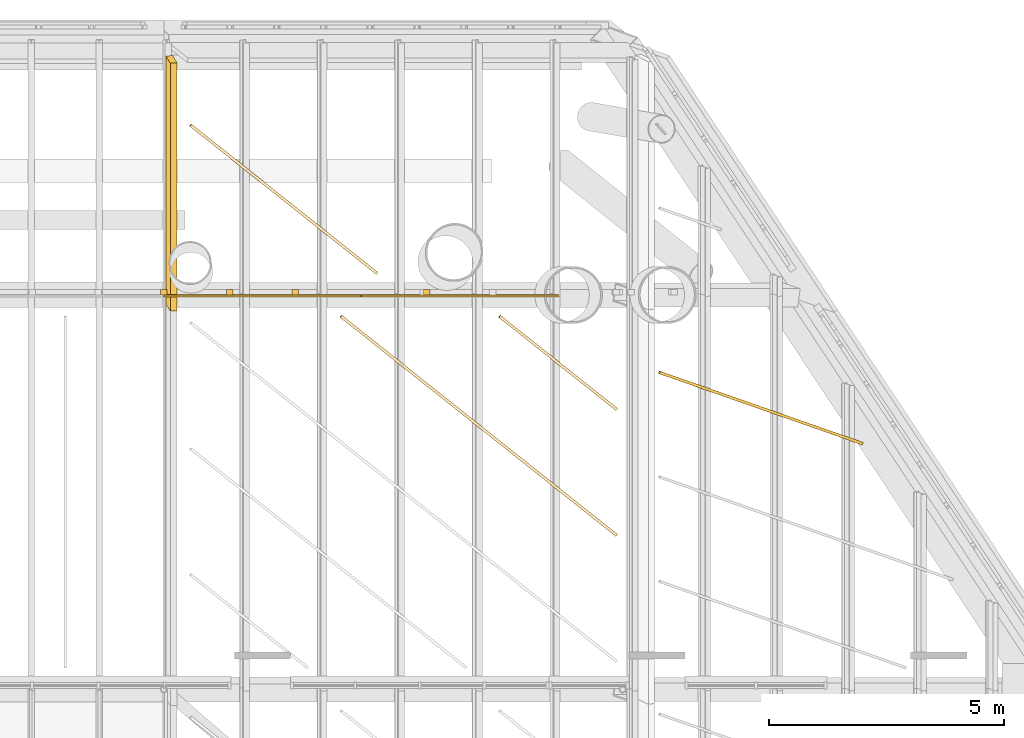
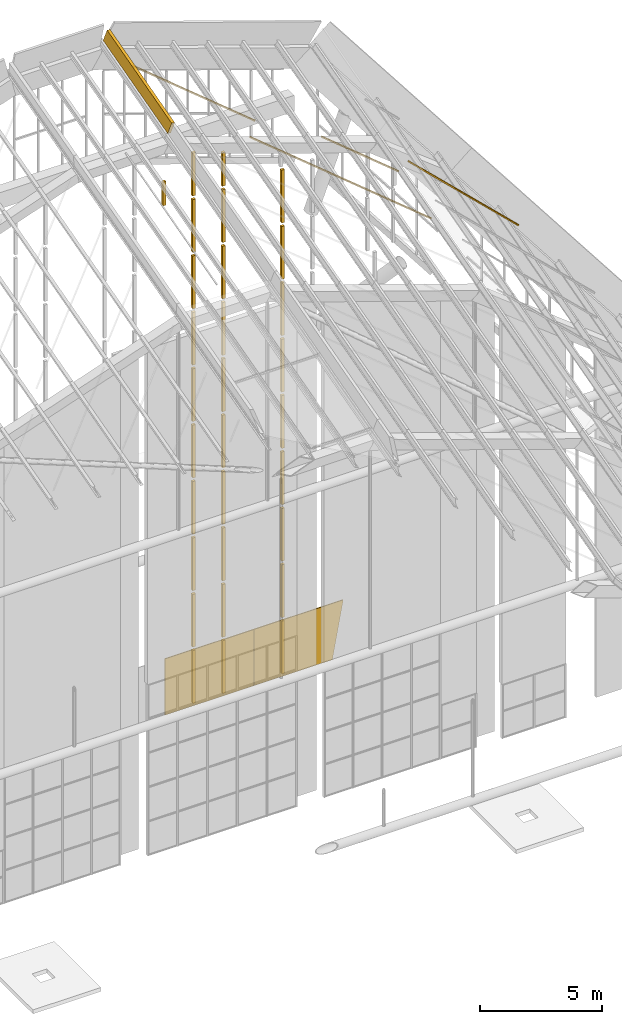
# One storey, part 119 of 126: 37 coverings.
"""IFC4 building model written with IfcOpenShell, lengths in metres."""

from ifc_helpers import new_model, si_unit, direction, frame, origin, origin_2d, place, context, subcontext, project, spatial, polyline, rectangle, outline, extrude, material, layer, layer_set, material_profile, profile_set, type_object, element, save


model = new_model("IFC4")

# Units and contexts
model_context = context("Model", 3, precision=1e-05, world=origin(), true_north=direction((0.0, 1.0)))
body_context = subcontext(model_context, "Body", "Model", "MODEL_VIEW")
ifc_project = project(units=[si_unit("LENGTHUNIT", "METRE"), si_unit("AREAUNIT", "SQUARE_METRE"), si_unit("VOLUMEUNIT", "CUBIC_METRE"), si_unit("PLANEANGLEUNIT", "RADIAN"), si_unit("MASSUNIT", "GRAM", prefix="KILO")], contexts=[model_context])

# Site, building, storey
site_placement = place(None, origin())
site = spatial("IfcSite", under=ifc_project, at=site_placement, CompositionType="ELEMENT")
building_placement = place(site_placement, origin())
building = spatial("IfcBuilding", under=site, at=building_placement, Name="Sava Quay Ferry Terminal", CompositionType="ELEMENT")
storey_placement = place(building_placement, frame((0.0, 0.0, 15.0)))
storey = spatial("IfcBuildingStorey", under=building, at=storey_placement, Name="L03", CompositionType="ELEMENT", Elevation=15.0)

# Coverings
ifc_material_1 = material(Name="Steel S355", Category="steel")
ifc_material_profile_1 = material_profile(ifc_material_1, rectangle(XDim=0.14990234375, YDim=0.60009765625, at=origin_2d()), Name="Cap 150 x 600")
ifc_profile_set_1 = profile_set([ifc_material_profile_1], Name="Steel S355")
covering_type_1 = type_object("IfcCoveringType", Name="Crease capping 150x600", PredefinedType="MOLDING", material=ifc_profile_set_1)
covering_1_placement = place(storey_placement, frame((65.262451171875, 108.93505859375, 29.388671875), z_axis=(0.0, 0.964574190917, 0.263811732523), x_axis=(-0.987174224814, -0.042116656855, 0.153991029213)))
element("IfcCovering", 1, at=covering_1_placement, inside=storey, type_object=covering_type_1, Name="Departure hall crease capping bay 8 crease 3", PredefinedType="MOLDING", context=body_context, shape_type="SweptSolid", body=[
    extrude(rectangle(XDim=0.14990234375, YDim=0.60009765625, at=origin_2d()), origin(), (0.0, 0.0, 1.0), 5.473876953125),
])
ifc_material_2 = material(Name="Laminated glass", Category="glass")
ifc_layer_1 = layer(ifc_material_2, 0.0400390625)
ifc_layer_set_1 = layer_set([ifc_layer_1], Name="Laminated glass")
covering_type_2 = type_object("IfcCoveringType", Name="Prow end glazing 40", PredefinedType="CLADDING", material=ifc_layer_set_1)
covering_2_placement = place(storey_placement, frame((65.10009765625, 109.199951171875, 0.006591796875), z_axis=(0.0, 1.0, 0.0), x_axis=(0.0, 0.0, 1.0)))
element("IfcCovering", 2, at=covering_2_placement, inside=storey, type_object=covering_type_2, Name="Departure hall prow end glazing panel 14", PredefinedType="CLADDING", context=body_context, shape_type="SweptSolid", body=[
    extrude(outline(polyline([(0.0, 0.0), (2.8134765625, 0.0), (2.8134765625, 4.199951171875), (0.0, 4.199951171875), (0.0, 0.0)])), origin(), (0.0, 0.0, -1.0), 0.0400390625),
])
covering_3_placement = place(storey_placement, frame((73.000732421875, 109.199951171875, 0.006591796875), z_axis=(0.0, 1.0, 0.0), x_axis=(-1.0, 0.0, 0.0)))
element("IfcCovering", 3, at=covering_3_placement, inside=storey, type_object=covering_type_2, Name="Departure hall prow end glazing panel 15", PredefinedType="CLADDING", context=body_context, shape_type="SweptSolid", body=[
    extrude(outline(polyline([(0.0, 0.0), (3.70068359375, 0.0), (3.70068359375, 2.8134765625), (-0.499267578125, 2.8134765625), (-0.499267578125, 2.722412109375), (0.0, 0.0)])), origin(), (0.0, 0.0, -1.0), 0.0400390625),
])
ifc_material_3 = material(Name="Steel S355", Category="steel")
ifc_material_profile_2 = material_profile(ifc_material_3, rectangle(XDim=0.139892578125, YDim=0.1201171875, at=origin_2d()), Name="Strip 140 x 120")
ifc_profile_set_2 = profile_set([ifc_material_profile_2], Name="Steel S355")
covering_type_3 = type_object("IfcCoveringType", Name="Prow glazing bar 140 x 120", PredefinedType="CLADDING", material=ifc_profile_set_2)
covering_4_placement = place(storey_placement, frame((65.10009765625, 109.260009765625, 25.4169921875), z_axis=(0.0, 0.0, 1.0), x_axis=(1.0, 0.0, 0.0)))
element("IfcCovering", 4, at=covering_4_placement, inside=storey, type_object=covering_type_3, Name="Prow glazing bar", PredefinedType="CLADDING", context=body_context, shape_type="SweptSolid", body=[
    extrude(rectangle(XDim=0.139892578125, YDim=0.1201171875, at=origin_2d()), origin(), (0.0, 0.0, 1.0), 1.18701171875),
])
for number, where, z_axis, x_axis, name in (
    (5, (67.900146484375, 109.260009765625, 0.0966796875), (0.0, 0.0, 1.0), (1.0, 0.0, 0.0), "Prow glazing bar"),
    (6, (66.5, 109.260009765625, 0.0966796875), (0.0, 0.0, 1.0), (1.0, 0.0, 0.0), "Prow glazing bar"),
    (7, (70.699951171875, 109.260009765625, 0.0966796875), (0.0, 0.0, 1.0), (1.0, 0.0, 0.0), "Prow glazing bar"),
):
    element("IfcCovering", number, at=place(storey_placement, frame(where, z_axis=z_axis, x_axis=x_axis)), inside=storey, type_object=covering_type_3, Name=name, PredefinedType="CLADDING", context=body_context, shape_type="SweptSolid", body=[
        extrude(rectangle(XDim=0.139892578125, YDim=0.1201171875, at=origin_2d()), origin(), (0.0, 0.0, 1.0), 2.63330078125),
    ])
for number, where, z_axis, x_axis, name in (
    (8, (67.900146484375, 109.260009765625, 2.91015625), (0.0, 0.0, 1.0), (1.0, 0.0, 0.0), "Prow glazing bar"),
    (9, (66.5, 109.260009765625, 2.91015625), (0.0, 0.0, 1.0), (1.0, 0.0, 0.0), "Prow glazing bar"),
    (10, (70.699951171875, 109.260009765625, 2.91015625), (0.0, 0.0, 1.0), (1.0, 0.0, 0.0), "Prow glazing bar"),
):
    element("IfcCovering", number, at=place(storey_placement, frame(where, z_axis=z_axis, x_axis=x_axis)), inside=storey, type_object=covering_type_3, Name=name, PredefinedType="CLADDING", context=body_context, shape_type="SweptSolid", body=[
        extrude(rectangle(XDim=0.139892578125, YDim=0.1201171875, at=origin_2d()), origin(), (0.0, 0.0, 1.0), 2.633056640625),
    ])
for number, where, z_axis, x_axis, name in (
    (11, (67.900146484375, 109.260009765625, 5.723388671875), (0.0, 0.0, 1.0), (1.0, 0.0, 0.0), "Prow glazing bar"),
    (12, (66.5, 109.260009765625, 5.723388671875), (0.0, 0.0, 1.0), (1.0, 0.0, 0.0), "Prow glazing bar"),
    (13, (70.699951171875, 109.260009765625, 5.723388671875), (0.0, 0.0, 1.0), (1.0, 0.0, 0.0), "Prow glazing bar"),
):
    element("IfcCovering", number, at=place(storey_placement, frame(where, z_axis=z_axis, x_axis=x_axis)), inside=storey, type_object=covering_type_3, Name=name, PredefinedType="CLADDING", context=body_context, shape_type="SweptSolid", body=[
        extrude(rectangle(XDim=0.139892578125, YDim=0.1201171875, at=origin_2d()), origin(), (0.0, 0.0, 1.0), 2.63330078125),
    ])
for number, where, z_axis, x_axis, name in (
    (14, (67.900146484375, 109.260009765625, 8.536865234375), (0.0, 0.0, 1.0), (1.0, 0.0, 0.0), "Prow glazing bar"),
    (15, (66.5, 109.260009765625, 8.536865234375), (0.0, 0.0, 1.0), (1.0, 0.0, 0.0), "Prow glazing bar"),
    (16, (70.699951171875, 109.260009765625, 8.536865234375), (0.0, 0.0, 1.0), (1.0, 0.0, 0.0), "Prow glazing bar"),
):
    element("IfcCovering", number, at=place(storey_placement, frame(where, z_axis=z_axis, x_axis=x_axis)), inside=storey, type_object=covering_type_3, Name=name, PredefinedType="CLADDING", context=body_context, shape_type="SweptSolid", body=[
        extrude(rectangle(XDim=0.139892578125, YDim=0.1201171875, at=origin_2d()), origin(), (0.0, 0.0, 1.0), 2.633056640625),
    ])
for number, where, z_axis, x_axis, name in (
    (17, (67.900146484375, 109.260009765625, 11.35009765625), (0.0, 0.0, 1.0), (1.0, 0.0, 0.0), "Prow glazing bar"),
    (18, (66.5, 109.260009765625, 11.35009765625), (0.0, 0.0, 1.0), (1.0, 0.0, 0.0), "Prow glazing bar"),
    (19, (70.699951171875, 109.260009765625, 11.35009765625), (0.0, 0.0, 1.0), (1.0, 0.0, 0.0), "Prow glazing bar"),
):
    element("IfcCovering", number, at=place(storey_placement, frame(where, z_axis=z_axis, x_axis=x_axis)), inside=storey, type_object=covering_type_3, Name=name, PredefinedType="CLADDING", context=body_context, shape_type="SweptSolid", body=[
        extrude(rectangle(XDim=0.139892578125, YDim=0.1201171875, at=origin_2d()), origin(), (0.0, 0.0, 1.0), 2.63330078125),
    ])
for number, where, z_axis, x_axis, name in (
    (20, (67.900146484375, 109.260009765625, 14.16357421875), (0.0, 0.0, 1.0), (1.0, 0.0, 0.0), "Prow glazing bar"),
    (21, (66.5, 109.260009765625, 14.16357421875), (0.0, 0.0, 1.0), (1.0, 0.0, 0.0), "Prow glazing bar"),
    (22, (70.699951171875, 109.260009765625, 14.16357421875), (0.0, 0.0, 1.0), (1.0, 0.0, 0.0), "Prow glazing bar"),
):
    element("IfcCovering", number, at=place(storey_placement, frame(where, z_axis=z_axis, x_axis=x_axis)), inside=storey, type_object=covering_type_3, Name=name, PredefinedType="CLADDING", context=body_context, shape_type="SweptSolid", body=[
        extrude(rectangle(XDim=0.139892578125, YDim=0.1201171875, at=origin_2d()), origin(), (0.0, 0.0, 1.0), 2.633056640625),
    ])
for number, where, z_axis, x_axis, name in (
    (23, (67.900146484375, 109.260009765625, 16.976806640625), (0.0, 0.0, 1.0), (1.0, 0.0, 0.0), "Prow glazing bar"),
    (24, (66.5, 109.260009765625, 16.976806640625), (0.0, 0.0, 1.0), (1.0, 0.0, 0.0), "Prow glazing bar"),
    (25, (70.699951171875, 109.260009765625, 16.976806640625), (0.0, 0.0, 1.0), (1.0, 0.0, 0.0), "Prow glazing bar"),
):
    element("IfcCovering", number, at=place(storey_placement, frame(where, z_axis=z_axis, x_axis=x_axis)), inside=storey, type_object=covering_type_3, Name=name, PredefinedType="CLADDING", context=body_context, shape_type="SweptSolid", body=[
        extrude(rectangle(XDim=0.139892578125, YDim=0.1201171875, at=origin_2d()), origin(), (0.0, 0.0, 1.0), 2.63330078125),
    ])
for number, where, z_axis, x_axis, name in (
    (26, (67.900146484375, 109.260009765625, 19.790283203125), (0.0, 0.0, 1.0), (1.0, 0.0, 0.0), "Prow glazing bar"),
    (27, (66.5, 109.260009765625, 19.790283203125), (0.0, 0.0, 1.0), (1.0, 0.0, 0.0), "Prow glazing bar"),
    (28, (70.699951171875, 109.260009765625, 19.790283203125), (0.0, 0.0, 1.0), (1.0, 0.0, 0.0), "Prow glazing bar"),
):
    element("IfcCovering", number, at=place(storey_placement, frame(where, z_axis=z_axis, x_axis=x_axis)), inside=storey, type_object=covering_type_3, Name=name, PredefinedType="CLADDING", context=body_context, shape_type="SweptSolid", body=[
        extrude(rectangle(XDim=0.139892578125, YDim=0.1201171875, at=origin_2d()), origin(), (0.0, 0.0, 1.0), 2.633056640625),
    ])
for number, where, z_axis, x_axis, name in (
    (29, (67.900146484375, 109.260009765625, 22.603515625), (0.0, 0.0, 1.0), (1.0, 0.0, 0.0), "Prow glazing bar"),
    (30, (66.5, 109.260009765625, 22.603515625), (0.0, 0.0, 1.0), (1.0, 0.0, 0.0), "Prow glazing bar"),
    (31, (70.699951171875, 109.260009765625, 22.603515625), (0.0, 0.0, 1.0), (1.0, 0.0, 0.0), "Prow glazing bar"),
):
    element("IfcCovering", number, at=place(storey_placement, frame(where, z_axis=z_axis, x_axis=x_axis)), inside=storey, type_object=covering_type_3, Name=name, PredefinedType="CLADDING", context=body_context, shape_type="SweptSolid", body=[
        extrude(rectangle(XDim=0.139892578125, YDim=0.1201171875, at=origin_2d()), origin(), (0.0, 0.0, 1.0), 2.63330078125),
    ])
covering_5_placement = place(storey_placement, frame((67.900146484375, 109.260009765625, 25.4169921875), z_axis=(0.0, 0.0, 1.0), x_axis=(1.0, 0.0, 0.0)))
element("IfcCovering", 32, at=covering_5_placement, inside=storey, type_object=covering_type_3, Name="Prow glazing bar", PredefinedType="CLADDING", context=body_context, shape_type="SweptSolid", body=[
    extrude(rectangle(XDim=0.139892578125, YDim=0.1201171875, at=origin_2d()), origin(), (0.0, 0.0, 1.0), 1.669189453125),
])
covering_6_placement = place(storey_placement, frame((66.5, 109.260009765625, 25.4169921875), z_axis=(0.0, 0.0, 1.0), x_axis=(1.0, 0.0, 0.0)))
element("IfcCovering", 33, at=covering_6_placement, inside=storey, type_object=covering_type_3, Name="Prow glazing bar", PredefinedType="CLADDING", context=body_context, shape_type="SweptSolid", body=[
    extrude(rectangle(XDim=0.139892578125, YDim=0.1201171875, at=origin_2d()), origin(), (0.0, 0.0, 1.0), 2.151123046875),
])
ifc_material_4 = material(Name="Zinc standing seam")
ifc_layer_2 = layer(ifc_material_4, 0.0400390625)
ifc_layer_set_2 = layer_set([ifc_layer_2], Name="Zinc standing seam")
covering_type_4 = type_object("IfcCoveringType", Name="Roof seam rib 60", PredefinedType="ROOFING", material=ifc_layer_set_2)
covering_7_placement = place(storey_placement, frame((74.726318359375, 106.7373046875, 25.251220703125), z_axis=(0.31515429108, -0.250486267716, 0.915387569557), x_axis=(-0.716719130156, 0.569427867215, 0.402573710651)))
element("IfcCovering", 34, at=covering_7_placement, inside=storey, type_object=covering_type_4, Name="Roof seam rib", PredefinedType="ROOFING", context=body_context, shape_type="SweptSolid", body=[
    extrude(outline(polyline([(0.0, 0.0), (3.4758065574622403, -1.7019263602591206e-16), (3.475551529254505, -0.060089706113377335), (0.00023395278043031667, -0.05997710256348893), (0.0, 0.0)])), origin(), (0.0, 0.0, -1.0), 0.0400390625),
])
covering_8_placement = place(storey_placement, frame((74.726318359375, 104.055419921875, 24.517578125), z_axis=(0.315223218272, -0.250372608263, 0.915394930996), x_axis=(-0.716731367026, 0.569424296388, 0.402556975102)))
element("IfcCovering", 35, at=covering_8_placement, inside=storey, type_object=covering_type_4, Name="Roof seam rib", PredefinedType="ROOFING", context=body_context, shape_type="SweptSolid", body=[
    extrude(outline(polyline([(0.0, 0.0), (8.185676670069974, 7.099626875978204e-16), (8.185595997646004, -0.05993782416674005), (9.431081993375653e-05, -0.05978595957828137), (0.0, 0.0)])), origin(), (0.0, 0.0, -1.0), 0.0400390625),
])
covering_9_placement = place(storey_placement, frame((79.976806640625, 106.00390625, 21.16552734375), z_axis=(0.602029406886, -0.210191301542, 0.770311761562), x_axis=(-0.727021160758, 0.254599009777, 0.637667292584)))
element("IfcCovering", 36, at=covering_9_placement, inside=storey, type_object=covering_type_4, Name="Roof seam rib", PredefinedType="ROOFING", context=body_context, shape_type="SweptSolid", body=[
    extrude(outline(polyline([(0.0, 0.0), (5.948193978449488, -2.211772431870429e-17), (5.948237498041015, -0.05999353782539509), (4.351959152599713e-05, -0.05999353782539513), (0.0, 0.0)])), origin(), (0.0, 0.0, -1.0), 0.0400390625),
])
covering_10_placement = place(storey_placement, frame((69.622314453125, 109.636474609375, 27.8017578125), z_axis=(0.315829699893, -0.249554555615, 0.915409266087), x_axis=(-0.716799050076, 0.569362917831, 0.402523278344)))
element("IfcCovering", 37, at=covering_10_placement, inside=storey, type_object=covering_type_4, Name="Roof seam rib", PredefinedType="ROOFING", context=body_context, shape_type="SweptSolid", body=[
    extrude(outline(polyline([(0.0, 0.0), (5.5340261657167815, -2.5283594662361963e-16), (5.534079092591723, -0.06012898016068993), (0.00022792664302599339, -0.059977209748433374), (0.0, 0.0)])), origin(), (0.0, 0.0, -1.0), 0.0400390625),
])

save(model, "model.ifc")
